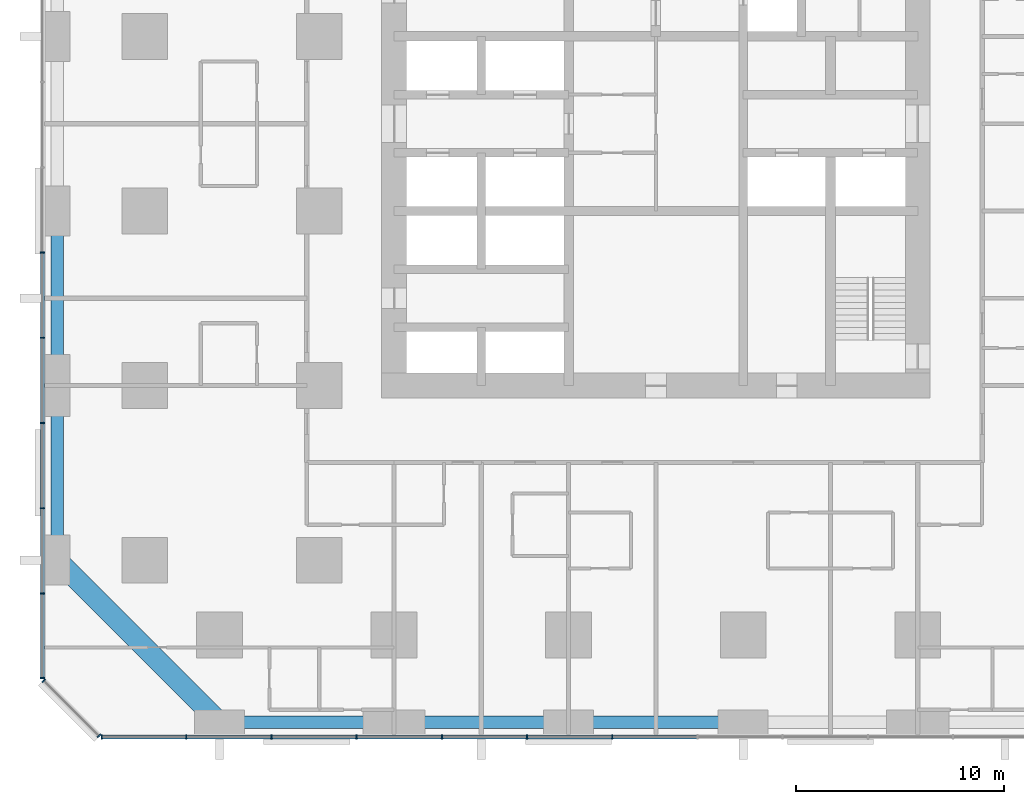
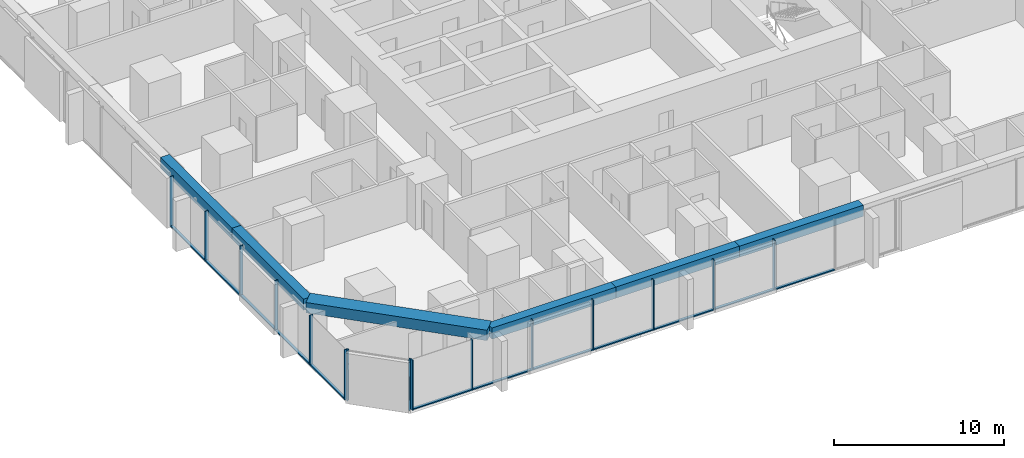
# One storey, part 2 of 13: 27 members, 6 beams, 3 elements without a shape of their own.
"""IFC4 building model written with IfcOpenShell, lengths in metres."""

from ifc_helpers import new_model, si_unit, direction, frame, origin, origin_2d, place, context, subcontext, project, spatial, rectangle, extrude, material, material_profile, profile_set, type_object, element, aggregate, save


model = new_model("IFC4")

# Units and contexts
model_context = context("Model", 3, precision=1e-05, world=origin(), true_north=direction((0.0, 1.0)))
body_context = subcontext(model_context, "Body", "Model", "MODEL_VIEW")
ifc_project = project(units=[si_unit("LENGTHUNIT", "METRE"), si_unit("AREAUNIT", "SQUARE_METRE"), si_unit("VOLUMEUNIT", "CUBIC_METRE"), si_unit("PLANEANGLEUNIT", "RADIAN"), si_unit("MASSUNIT", "GRAM", prefix="KILO")], contexts=[model_context])

# Site, building, storey
site_placement = place(None, origin())
site = spatial("IfcSite", under=ifc_project, at=site_placement, CompositionType="ELEMENT")
building_placement = place(site_placement, origin())
building = spatial("IfcBuilding", under=site, at=building_placement, Name="Dunama Terrace Hotel", CompositionType="ELEMENT")
storey_placement = place(building_placement, frame((0.0, 0.0, 144.0)))
storey = spatial("IfcBuildingStorey", under=building, at=storey_placement, Name="L37", CompositionType="ELEMENT", Elevation=144.0)

# Curtain wall, members
ifc_material_1 = material(Name="Aluminium curtain wall system", Category="aluminium")
curtain_wall_type = type_object("IfcCurtainWallType", Name="Unitised fritted glass wall CW-B", PredefinedType="NOTDEFINED", material=ifc_material_1)
curtain_wall_1_placement = place(storey_placement, origin())
curtain_wall_1 = element("IfcCurtainWall", 1, at=curtain_wall_1_placement, inside=storey, type_object=curtain_wall_type, Name="Unitised fritted glass wall CW-B L37", PredefinedType="NOTDEFINED")
ifc_material_2 = material(Name="Aluminium mullion", Category="aluminium")
ifc_material_profile_1 = material_profile(ifc_material_2, rectangle(XDim=0.06494140625, YDim=0.219970703125, at=origin_2d()), Name="CWB MULLION 65X220")
ifc_profile_set_1 = profile_set([ifc_material_profile_1], Name="Aluminium mullion")
member_type_1 = type_object("IfcMemberType", Name="CWB mullion 65x220", PredefinedType="MULLION", material=ifc_profile_set_1)
member_1_placement = place(storey_placement, frame((2.73291015625, -0.110107421875, 0.0), z_axis=(0.0, 0.0, 1.0), x_axis=(1.0, 0.0, 0.0)))
member_1 = element("IfcMember", 2, at=member_1_placement, type_object=member_type_1, Name="CWB mullion", PredefinedType="MULLION", context=body_context, shape_type="SweptSolid", body=[
    extrude(rectangle(XDim=0.06494140625, YDim=0.219970703125, at=origin_2d()), origin(), (0.0, 0.0, 1.0), 3.60009765625),
])
member_2_placement = place(storey_placement, frame((6.800048828125, -0.110107421875, 0.0), z_axis=(0.0, 0.0, 1.0), x_axis=(1.0, 0.0, 0.0)))
member_2 = element("IfcMember", 3, at=member_2_placement, type_object=member_type_1, Name="CWB mullion", PredefinedType="MULLION", context=body_context, shape_type="SweptSolid", body=[
    extrude(rectangle(XDim=0.06494140625, YDim=0.219970703125, at=origin_2d()), origin(), (0.0, 0.0, 1.0), 3.60009765625),
])
member_3_placement = place(storey_placement, frame((10.89990234375, -0.110107421875, 0.0), z_axis=(0.0, 0.0, 1.0), x_axis=(1.0, 0.0, 0.0)))
member_3 = element("IfcMember", 4, at=member_3_placement, type_object=member_type_1, Name="CWB mullion", PredefinedType="MULLION", context=body_context, shape_type="SweptSolid", body=[
    extrude(rectangle(XDim=0.06494140625, YDim=0.219970703125, at=origin_2d()), origin(), (0.0, 0.0, 1.0), 3.60009765625),
])
member_4_placement = place(storey_placement, frame((15.0, -0.110107421875, 0.0), z_axis=(0.0, 0.0, 1.0), x_axis=(1.0, 0.0, 0.0)))
member_4 = element("IfcMember", 5, at=member_4_placement, type_object=member_type_1, Name="CWB mullion", PredefinedType="MULLION", context=body_context, shape_type="SweptSolid", body=[
    extrude(rectangle(XDim=0.06494140625, YDim=0.219970703125, at=origin_2d()), origin(), (0.0, 0.0, 1.0), 3.60009765625),
])
member_5_placement = place(storey_placement, frame((19.10009765625, -0.110107421875, 0.0), z_axis=(0.0, 0.0, 1.0), x_axis=(1.0, 0.0, 0.0)))
member_5 = element("IfcMember", 6, at=member_5_placement, type_object=member_type_1, Name="CWB mullion", PredefinedType="MULLION", context=body_context, shape_type="SweptSolid", body=[
    extrude(rectangle(XDim=0.06494140625, YDim=0.219970703125, at=origin_2d()), origin(), (0.0, 0.0, 1.0), 3.60009765625),
])
member_6_placement = place(storey_placement, frame((23.199951171875, -0.110107421875, 0.0), z_axis=(0.0, 0.0, 1.0), x_axis=(1.0, 0.0, 0.0)))
member_6 = element("IfcMember", 7, at=member_6_placement, type_object=member_type_1, Name="CWB mullion", PredefinedType="MULLION", context=body_context, shape_type="SweptSolid", body=[
    extrude(rectangle(XDim=0.06494140625, YDim=0.219970703125, at=origin_2d()), origin(), (0.0, 0.0, 1.0), 3.60009765625),
])
member_7_placement = place(storey_placement, frame((27.300048828125, -0.110107421875, 0.0), z_axis=(0.0, 0.0, 1.0), x_axis=(1.0, 0.0, 0.0)))
member_7 = element("IfcMember", 8, at=member_7_placement, type_object=member_type_1, Name="CWB mullion", PredefinedType="MULLION", context=body_context, shape_type="SweptSolid", body=[
    extrude(rectangle(XDim=0.06494140625, YDim=0.219970703125, at=origin_2d()), origin(), (0.0, 0.0, 1.0), 3.60009765625),
])

curtain_wall_2_placement = place(storey_placement, origin())
curtain_wall_2 = element("IfcCurtainWall", 9, at=curtain_wall_2_placement, inside=storey, type_object=curtain_wall_type, Name="Unitised fritted glass wall CW-B L37", PredefinedType="NOTDEFINED")
member_8_placement = place(storey_placement, frame((-0.110107421875, 23.199951171875, 0.0), z_axis=(0.0, 0.0, 1.0), x_axis=(0.0, -1.0, 0.0)))
member_8 = element("IfcMember", 10, at=member_8_placement, type_object=member_type_1, Name="CWB mullion", PredefinedType="MULLION", context=body_context, shape_type="SweptSolid", body=[
    extrude(rectangle(XDim=0.06494140625, YDim=0.219970703125, at=origin_2d()), origin(), (0.0, 0.0, 1.0), 3.60009765625),
])
member_9_placement = place(storey_placement, frame((-0.110107421875, 19.10009765625, 0.0), z_axis=(0.0, 0.0, 1.0), x_axis=(0.0, -1.0, 0.0)))
member_9 = element("IfcMember", 11, at=member_9_placement, type_object=member_type_1, Name="CWB mullion", PredefinedType="MULLION", context=body_context, shape_type="SweptSolid", body=[
    extrude(rectangle(XDim=0.06494140625, YDim=0.219970703125, at=origin_2d()), origin(), (0.0, 0.0, 1.0), 3.60009765625),
])
member_10_placement = place(storey_placement, frame((-0.110107421875, 15.0, 0.0), z_axis=(0.0, 0.0, 1.0), x_axis=(0.0, -1.0, 0.0)))
member_10 = element("IfcMember", 12, at=member_10_placement, type_object=member_type_1, Name="CWB mullion", PredefinedType="MULLION", context=body_context, shape_type="SweptSolid", body=[
    extrude(rectangle(XDim=0.06494140625, YDim=0.219970703125, at=origin_2d()), origin(), (0.0, 0.0, 1.0), 3.60009765625),
])
member_11_placement = place(storey_placement, frame((-0.110107421875, 10.89990234375, 0.0), z_axis=(0.0, 0.0, 1.0), x_axis=(0.0, -1.0, 0.0)))
member_11 = element("IfcMember", 13, at=member_11_placement, type_object=member_type_1, Name="CWB mullion", PredefinedType="MULLION", context=body_context, shape_type="SweptSolid", body=[
    extrude(rectangle(XDim=0.06494140625, YDim=0.219970703125, at=origin_2d()), origin(), (0.0, 0.0, 1.0), 3.60009765625),
])
member_12_placement = place(storey_placement, frame((-0.110107421875, 6.800048828125, 0.0), z_axis=(0.0, 0.0, 1.0), x_axis=(0.0, -1.0, 0.0)))
member_12 = element("IfcMember", 14, at=member_12_placement, type_object=member_type_1, Name="CWB mullion", PredefinedType="MULLION", context=body_context, shape_type="SweptSolid", body=[
    extrude(rectangle(XDim=0.06494140625, YDim=0.219970703125, at=origin_2d()), origin(), (0.0, 0.0, 1.0), 3.60009765625),
])
member_13_placement = place(storey_placement, frame((-0.110107421875, 2.73291015625, 0.0), z_axis=(0.0, 0.0, 1.0), x_axis=(0.0, -1.0, 0.0)))
member_13 = element("IfcMember", 15, at=member_13_placement, type_object=member_type_1, Name="CWB mullion", PredefinedType="MULLION", context=body_context, shape_type="SweptSolid", body=[
    extrude(rectangle(XDim=0.06494140625, YDim=0.219970703125, at=origin_2d()), origin(), (0.0, 0.0, 1.0), 3.60009765625),
])

curtain_wall_3_placement = place(storey_placement, origin())
curtain_wall_3 = element("IfcCurtainWall", 16, at=curtain_wall_3_placement, inside=storey, type_object=curtain_wall_type, Name="Unitised fritted glass wall CW-B L37", PredefinedType="NOTDEFINED")
member_14_placement = place(storey_placement, frame((-0.054931640625, 2.59912109375, 0.0), z_axis=(0.0, 0.0, 1.0), x_axis=(0.707106781187, -0.707106781187, 0.0)))
member_14 = element("IfcMember", 17, at=member_14_placement, type_object=member_type_1, Name="CWB mullion", PredefinedType="MULLION", context=body_context, shape_type="SweptSolid", body=[
    extrude(rectangle(XDim=0.06494140625, YDim=0.219970703125, at=origin_2d()), origin(), (0.0, 0.0, 1.0), 3.60009765625),
])
member_15_placement = place(storey_placement, frame((2.59912109375, -0.054931640625, 0.0), z_axis=(0.0, 0.0, 1.0), x_axis=(0.707106781187, -0.707106781187, 0.0)))
member_15 = element("IfcMember", 18, at=member_15_placement, type_object=member_type_1, Name="CWB mullion", PredefinedType="MULLION", context=body_context, shape_type="SweptSolid", body=[
    extrude(rectangle(XDim=0.06494140625, YDim=0.219970703125, at=origin_2d()), origin(), (0.0, 0.0, 1.0), 3.60009765625),
])
aggregate(curtain_wall_3, [member_14, member_15])

# Member
ifc_material_3 = material(Name="Aluminium transom", Category="aluminium")
ifc_material_profile_2 = material_profile(ifc_material_3, rectangle(XDim=0.179931640625, YDim=0.080078125, at=origin_2d()), Name="CWB TRANSOM 180X80")
ifc_profile_set_2 = profile_set([ifc_material_profile_2], Name="Aluminium transom")
member_type_2 = type_object("IfcMemberType", Name="CWB transom 180x80", PredefinedType="USERDEFINED", material=ifc_profile_set_2)
member_16_placement = place(storey_placement, frame((2.764892578125, -0.110107421875, 0.0400390625), z_axis=(1.0, 0.0, 0.0), x_axis=(0.0, 1.0, 0.0)))
member_16 = element("IfcMember", 19, at=member_16_placement, type_object=member_type_2, Name="CWB transom", ObjectType="TRANSOM", PredefinedType="USERDEFINED", context=body_context, shape_type="SweptSolid", body=[
    extrude(rectangle(XDim=0.179931640625, YDim=0.080078125, at=origin_2d()), origin(), (0.0, 0.0, 1.0), 4.003173828125),
])

member_17_placement = place(storey_placement, frame((6.83203125, -0.110107421875, 0.0400390625), z_axis=(1.0, 0.0, 0.0), x_axis=(0.0, 1.0, 0.0)))
member_17 = element("IfcMember", 20, at=member_17_placement, type_object=member_type_2, Name="CWB transom", ObjectType="TRANSOM", PredefinedType="USERDEFINED", context=body_context, shape_type="SweptSolid", body=[
    extrude(rectangle(XDim=0.179931640625, YDim=0.080078125, at=origin_2d()), origin(), (0.0, 0.0, 1.0), 4.034912109375),
])

member_18_placement = place(storey_placement, frame((10.93310546875, -0.110107421875, 0.0400390625), z_axis=(1.0, 0.0, 0.0), x_axis=(0.0, 1.0, 0.0)))
member_18 = element("IfcMember", 21, at=member_18_placement, type_object=member_type_2, Name="CWB transom", ObjectType="TRANSOM", PredefinedType="USERDEFINED", context=body_context, shape_type="SweptSolid", body=[
    extrude(rectangle(XDim=0.179931640625, YDim=0.080078125, at=origin_2d()), origin(), (0.0, 0.0, 1.0), 4.033935546875),
])

member_19_placement = place(storey_placement, frame((15.031982421875, -0.110107421875, 0.0400390625), z_axis=(1.0, 0.0, 0.0), x_axis=(0.0, 1.0, 0.0)))
member_19 = element("IfcMember", 22, at=member_19_placement, type_object=member_type_2, Name="CWB transom", ObjectType="TRANSOM", PredefinedType="USERDEFINED", context=body_context, shape_type="SweptSolid", body=[
    extrude(rectangle(XDim=0.179931640625, YDim=0.080078125, at=origin_2d()), origin(), (0.0, 0.0, 1.0), 4.034912109375),
])

member_20_placement = place(storey_placement, frame((19.132080078125, -0.110107421875, 0.0400390625), z_axis=(1.0, 0.0, 0.0), x_axis=(0.0, 1.0, 0.0)))
member_20 = element("IfcMember", 23, at=member_20_placement, type_object=member_type_2, Name="CWB transom", ObjectType="TRANSOM", PredefinedType="USERDEFINED", context=body_context, shape_type="SweptSolid", body=[
    extrude(rectangle(XDim=0.179931640625, YDim=0.080078125, at=origin_2d()), origin(), (0.0, 0.0, 1.0), 4.035888671875),
])

member_21_placement = place(storey_placement, frame((23.23193359375, -0.110107421875, 0.0400390625), z_axis=(1.0, 0.0, 0.0), x_axis=(0.0, 1.0, 0.0)))
member_21 = element("IfcMember", 24, at=member_21_placement, type_object=member_type_2, Name="CWB transom", ObjectType="TRANSOM", PredefinedType="USERDEFINED", context=body_context, shape_type="SweptSolid", body=[
    extrude(rectangle(XDim=0.179931640625, YDim=0.080078125, at=origin_2d()), origin(), (0.0, 0.0, 1.0), 4.03515625),
])

member_22_placement = place(storey_placement, frame((27.33203125, -0.110107421875, 0.0400390625), z_axis=(1.0, 0.0, 0.0), x_axis=(0.0, 1.0, 0.0)))
member_22 = element("IfcMember", 25, at=member_22_placement, type_object=member_type_2, Name="CWB transom", ObjectType="TRANSOM", PredefinedType="USERDEFINED", context=body_context, shape_type="SweptSolid", body=[
    extrude(rectangle(XDim=0.179931640625, YDim=0.080078125, at=origin_2d()), origin(), (0.0, 0.0, 1.0), 4.034912109375),
])

aggregate(curtain_wall_1, [member_1, member_2, member_3, member_4, member_5, member_6, member_7, member_16, member_17, member_18, member_19, member_20, member_21, member_22])

member_23_placement = place(storey_placement, frame((-0.110107421875, 23.16796875, 0.0400390625), z_axis=(0.0, -1.0, 0.0), x_axis=(1.0, 0.0, 0.0)))
member_23 = element("IfcMember", 26, at=member_23_placement, type_object=member_type_2, Name="CWB transom", ObjectType="TRANSOM", PredefinedType="USERDEFINED", context=body_context, shape_type="SweptSolid", body=[
    extrude(rectangle(XDim=0.179931640625, YDim=0.080078125, at=origin_2d()), origin(), (0.0, 0.0, 1.0), 4.034912109375),
])

member_24_placement = place(storey_placement, frame((-0.110107421875, 19.068115234375, 0.0400390625), z_axis=(0.0, -1.0, 0.0), x_axis=(1.0, 0.0, 0.0)))
member_24 = element("IfcMember", 27, at=member_24_placement, type_object=member_type_2, Name="CWB transom", ObjectType="TRANSOM", PredefinedType="USERDEFINED", context=body_context, shape_type="SweptSolid", body=[
    extrude(rectangle(XDim=0.179931640625, YDim=0.080078125, at=origin_2d()), origin(), (0.0, 0.0, 1.0), 4.0361328125),
])

member_25_placement = place(storey_placement, frame((-0.110107421875, 14.968017578125, 0.0400390625), z_axis=(0.0, -1.0, 0.0), x_axis=(1.0, 0.0, 0.0)))
member_25 = element("IfcMember", 28, at=member_25_placement, type_object=member_type_2, Name="CWB transom", ObjectType="TRANSOM", PredefinedType="USERDEFINED", context=body_context, shape_type="SweptSolid", body=[
    extrude(rectangle(XDim=0.179931640625, YDim=0.080078125, at=origin_2d()), origin(), (0.0, 0.0, 1.0), 4.0361328125),
])

member_26_placement = place(storey_placement, frame((-0.110107421875, 10.866943359375, 0.0400390625), z_axis=(0.0, -1.0, 0.0), x_axis=(1.0, 0.0, 0.0)))
member_26 = element("IfcMember", 29, at=member_26_placement, type_object=member_type_2, Name="CWB transom", ObjectType="TRANSOM", PredefinedType="USERDEFINED", context=body_context, shape_type="SweptSolid", body=[
    extrude(rectangle(XDim=0.179931640625, YDim=0.080078125, at=origin_2d()), origin(), (0.0, 0.0, 1.0), 4.033935546875),
])

member_27_placement = place(storey_placement, frame((-0.110107421875, 6.76806640625, 0.0400390625), z_axis=(0.0, -1.0, 0.0), x_axis=(1.0, 0.0, 0.0)))
member_27 = element("IfcMember", 30, at=member_27_placement, type_object=member_type_2, Name="CWB transom", ObjectType="TRANSOM", PredefinedType="USERDEFINED", context=body_context, shape_type="SweptSolid", body=[
    extrude(rectangle(XDim=0.179931640625, YDim=0.080078125, at=origin_2d()), origin(), (0.0, 0.0, 1.0), 4.003173828125),
])

aggregate(curtain_wall_2, [member_8, member_9, member_10, member_11, member_12, member_13, member_23, member_24, member_25, member_26, member_27])

# Beams
ifc_material_4 = material(Name="Concrete C50/60", Category="concrete")
ifc_material_profile_3 = material_profile(ifc_material_4, rectangle(XDim=1.0, YDim=0.75, at=origin_2d()), Name="RC 1000x750")
ifc_profile_set_3 = profile_set([ifc_material_profile_3], Name="Concrete C50/60")
beam_type_1 = type_object("IfcBeamType", Name="Edge beam RC 1000x750", PredefinedType="SPANDREL", material=ifc_profile_set_3)
beam_1_placement = place(storey_placement, frame((8.39990234375, 0.60009765625, 3.22509765625), z_axis=(-0.707106781187, 0.707106781187, 0.0), x_axis=(-0.707106781187, -0.707106781187, 0.0)))
element("IfcBeam", 31, at=beam_1_placement, inside=storey, type_object=beam_type_1, Name="Corner edge beam under L38", PredefinedType="SPANDREL", context=body_context, shape_type="SweptSolid", body=[
    extrude(rectangle(XDim=1.0, YDim=0.75, at=origin_2d()), origin(), (0.0, 0.0, 1.0), 11.030517578125),
])
ifc_material_5 = material(Name="Concrete C40/50", Category="concrete")
ifc_material_profile_4 = material_profile(ifc_material_5, rectangle(XDim=0.60009765625, YDim=0.800048828125, at=origin_2d()), Name="RC 600x800")
ifc_profile_set_4 = profile_set([ifc_material_profile_4], Name="Concrete C40/50")
beam_type_2 = type_object("IfcBeamType", Name="Edge beam RC 600x800", PredefinedType="SPANDREL", material=ifc_profile_set_4)
beam_2_placement = place(storey_placement, frame((0.60009765625, 8.39990234375, 3.199951171875), z_axis=(0.0, 1.0, 0.0), x_axis=(-1.0, 0.0, 0.0)))
element("IfcBeam", 32, at=beam_2_placement, inside=storey, type_object=beam_type_2, Name="Edge beam under L38", PredefinedType="SPANDREL", context=body_context, shape_type="SweptSolid", body=[
    extrude(rectangle(XDim=0.60009765625, YDim=0.800048828125, at=origin_2d()), origin(), (0.0, 0.0, 1.0), 8.400146484375),
])
beam_3_placement = place(storey_placement, frame((0.60009765625, 16.800048828125, 3.199951171875), z_axis=(0.0, 1.0, 0.0), x_axis=(-1.0, 0.0, 0.0)))
element("IfcBeam", 33, at=beam_3_placement, inside=storey, type_object=beam_type_2, Name="Edge beam under L38", PredefinedType="SPANDREL", context=body_context, shape_type="SweptSolid", body=[
    extrude(rectangle(XDim=0.60009765625, YDim=0.800048828125, at=origin_2d()), origin(), (0.0, 0.0, 1.0), 8.39990234375),
])
beam_4_placement = place(storey_placement, frame((8.39990234375, 0.60009765625, 3.199951171875), z_axis=(1.0, 0.0, 0.0), x_axis=(0.0, 1.0, 0.0)))
element("IfcBeam", 34, at=beam_4_placement, inside=storey, type_object=beam_type_2, Name="Edge beam under L38", PredefinedType="SPANDREL", context=body_context, shape_type="SweptSolid", body=[
    extrude(rectangle(XDim=0.60009765625, YDim=0.800048828125, at=origin_2d()), origin(), (0.0, 0.0, 1.0), 8.400146484375),
])
beam_5_placement = place(storey_placement, frame((16.800048828125, 0.60009765625, 3.199951171875), z_axis=(1.0, 0.0, 0.0), x_axis=(0.0, 1.0, 0.0)))
element("IfcBeam", 35, at=beam_5_placement, inside=storey, type_object=beam_type_2, Name="Edge beam under L38", PredefinedType="SPANDREL", context=body_context, shape_type="SweptSolid", body=[
    extrude(rectangle(XDim=0.60009765625, YDim=0.800048828125, at=origin_2d()), origin(), (0.0, 0.0, 1.0), 8.39990234375),
])
beam_6_placement = place(storey_placement, frame((25.199951171875, 0.60009765625, 3.199951171875), z_axis=(1.0, 0.0, 0.0), x_axis=(0.0, 1.0, 0.0)))
element("IfcBeam", 36, at=beam_6_placement, inside=storey, type_object=beam_type_2, Name="Edge beam under L38", PredefinedType="SPANDREL", context=body_context, shape_type="SweptSolid", body=[
    extrude(rectangle(XDim=0.60009765625, YDim=0.800048828125, at=origin_2d()), origin(), (0.0, 0.0, 1.0), 8.400146484375),
])

save(model, "model.ifc")
